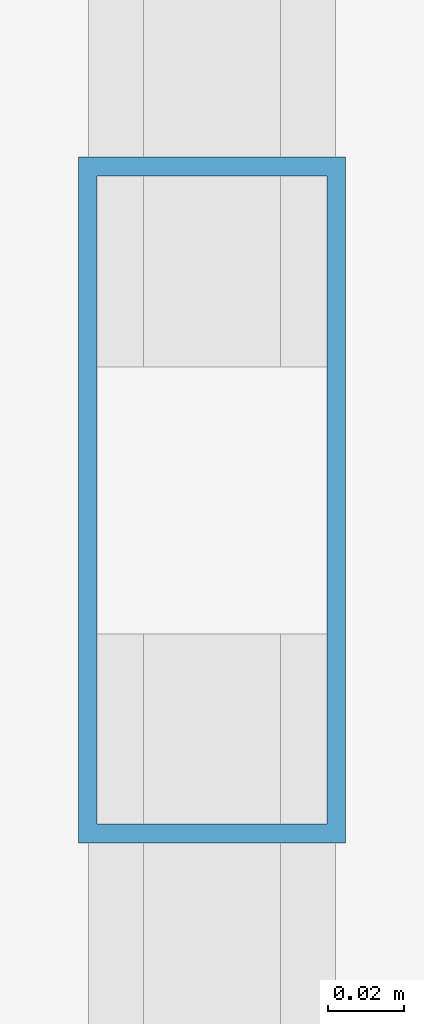
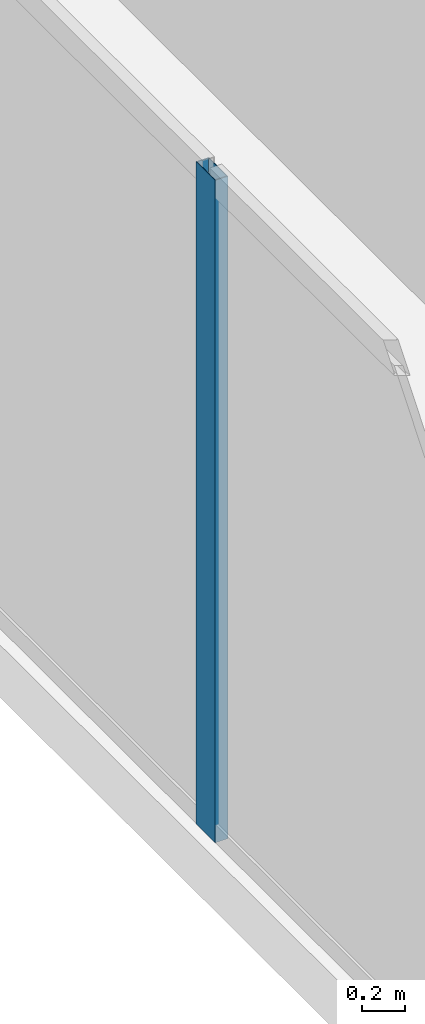
# One storey, part 9 of 33: 1 member, 1 element without a shape of its own.
"""IFC4 building model written with IfcOpenShell, lengths in metres."""

from ifc_helpers import new_model, si_unit, direction, frame, origin, origin_2d, place, context, subcontext, project, spatial, hollow_rectangle, extrude, source, transform, mapped, material, layer, layer_set, material_profile, profile_set, type_object, type_shapes, element, aggregate, save


model = new_model("IFC4")

# Units and contexts
model_context = context("Model", 3, precision=1e-05, world=origin(), true_north=direction((0.0, 1.0)))
body_context = subcontext(model_context, "Body", "Model", "MODEL_VIEW")
ifc_project = project(units=[si_unit("LENGTHUNIT", "METRE"), si_unit("AREAUNIT", "SQUARE_METRE"), si_unit("VOLUMEUNIT", "CUBIC_METRE"), si_unit("PLANEANGLEUNIT", "RADIAN"), si_unit("MASSUNIT", "GRAM", prefix="KILO")], contexts=[model_context])

# Site, building, storey
site_placement = place(None, origin())
site = spatial("IfcSite", under=ifc_project, at=site_placement, CompositionType="ELEMENT")
building_placement = place(site_placement, origin())
building = spatial("IfcBuilding", under=site, at=building_placement, Name="Haelvirn Gate Laboratories", CompositionType="ELEMENT")
storey_placement = place(building_placement, frame((0.0, 0.0, 258.800048828125)))
storey = spatial("IfcBuildingStorey", under=building, at=storey_placement, Name="L62", CompositionType="ELEMENT", Elevation=258.800048828125)

# Curtain wall, member
ifc_material_1 = material(Name="Anodised bronze unitised aluminium & triple low-E glass", Category="aluminium")
ifc_layer = layer(ifc_material_1, 0.176025390625, Name="CW-SYS-4")
ifc_layer_set = layer_set([ifc_layer], Name="Anodised bronze unitised aluminium & triple low-E glass")
curtain_wall_type = type_object("IfcCurtainWallType", Name="CW-SYS-4", PredefinedType="NOTDEFINED", material=ifc_layer_set)
curtain_wall_placement = place(storey_placement, origin())
curtain_wall = element("IfcCurtainWall", 1, at=curtain_wall_placement, inside=storey, type_object=curtain_wall_type, Name="L62 Unitised Curtain Wall CW-L62-P0-E17", PredefinedType="NOTDEFINED")
ifc_material_2 = material(Name="Extruded aluminium 6063-T6 (anodised bronze)", Category="aluminium")
ifc_material_profile = material_profile(ifc_material_2, hollow_rectangle(XDim=0.070068359375, YDim=0.179931640625, WallThickness=0.0048828125, at=origin_2d()), Name="CWM-180x70x5")
ifc_profile_set = profile_set([ifc_material_profile], Name="Extruded aluminium 6063-T6 (anodised bronze)")
member_type = type_object("IfcMemberType", Name="CWM-T180", PredefinedType="MULLION", material=ifc_profile_set)
shared_shape = source(origin(), body_context, "Body", "SweptSolid", [
    extrude(hollow_rectangle(XDim=0.070068359375, YDim=0.179931640625, WallThickness=0.0048828125, at=origin_2d()), origin(), (0.0, 0.0, 1.0), 3.800048828125),
])
type_shapes(member_type, [shared_shape])
member_placement = place(storey_placement, frame((4.10009765625, 24.300048828125, 0.0), z_axis=(0.0, 0.0, 1.0), x_axis=(1.0, 0.0, 0.0)))
member = element("IfcMember", 2, at=member_placement, type_object=member_type, Name="CW4 mullion 2", PredefinedType="MULLION", context=body_context, shape_type="MappedRepresentation", body=[
    mapped(shared_shape, transform((0.0, 0.0, 0.0), scale=1.0)),
])
aggregate(curtain_wall, [member])

save(model, "model.ifc")
